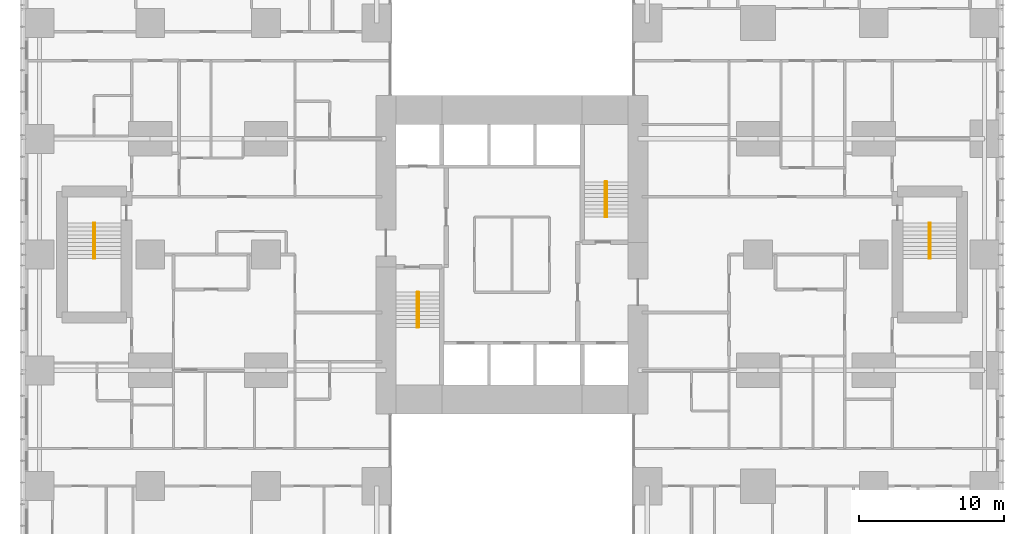
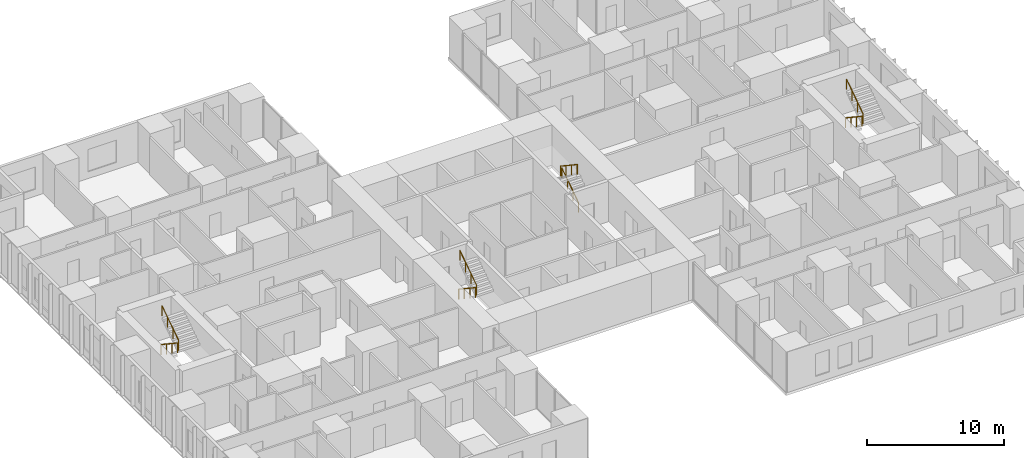
# One storey, part 20 of 20: 8 railings.
"""IFC4 building model written with IfcOpenShell, lengths in metres."""

import ifcopenshell
import ifcopenshell.guid

model = None  # the IFC model being written
_history = None  # IfcOwnerHistory: only IFC2X3 demands one
_inside = {}  # id of a spatial element -> (the spatial element, [elements in it])
_under = {}  # id of a project, library or spatial element -> (it, [spatial elements below it])
_declared = {}  # id of a project -> (the project, [libraries it declares])
_typed = {}  # id of a type object -> (the type object, [elements of that type])
_made_of = {}  # id of a material, layer set ... -> (it, [elements and type objects made of it])


def new_model(schema):
    """Start an empty IFC model of exactly this schema.

    Asked for "IFC4X3", IfcOpenShell would pick the latest addendum, in which some entities
    have other attributes; the version numbers below select the first issue.
    IFC2X3 requires an IfcOwnerHistory on every rooted entity: one is made here for all.
    """
    global model, _history
    if schema == "IFC4X3":
        model = ifcopenshell.file(schema_version=(4, 3, 0, 0))
    else:
        model = ifcopenshell.file(schema=schema)
    _inside.clear()
    _under.clear()
    _declared.clear()
    _typed.clear()
    _made_of.clear()
    _history = None
    if model.schema == "IFC2X3":
        org = make("IfcOrganization", Name="unknown")
        user = make(
            "IfcPersonAndOrganization",
            ThePerson=make("IfcPerson", FamilyName="unknown"),
            TheOrganization=org,
        )
        app = make(
            "IfcApplication",
            ApplicationDeveloper=org,
            Version="unknown",
            ApplicationFullName="unknown",
            ApplicationIdentifier="unknown",
        )
        _history = make(
            "IfcOwnerHistory",
            OwningUser=user,
            OwningApplication=app,
            ChangeAction="ADDED",
            CreationDate=0,
        )
    return model


def make(cls, **values):
    """One entity of the class cls with the attributes given. An attribute that is None is left unset."""
    return model.create_entity(
        cls, **{name: value for name, value in values.items() if value is not None}
    )


def rooted(cls, **values):
    """An entity with a GlobalId (a new one), such as an element, a storey or a relation."""
    return make(cls, GlobalId=ifcopenshell.guid.new(), OwnerHistory=_history, **values)


def si_unit(unit_type, name, prefix=None):
    """IfcSIUnit, for example si_unit("LENGTHUNIT", "METRE", prefix="MILLI")."""
    return make("IfcSIUnit", UnitType=unit_type, Prefix=prefix, Name=name)


def assignment(units):
    """IfcUnitAssignment: the units of a project."""
    return None if units is None else make("IfcUnitAssignment", Units=units)


def point(xyz):
    """IfcCartesianPoint."""
    return None if xyz is None else make("IfcCartesianPoint", Coordinates=xyz)


def direction(xyz):
    """IfcDirection."""
    return None if xyz is None else make("IfcDirection", DirectionRatios=xyz)


def frame(location, z_axis=None, x_axis=None):
    """IfcAxis2Placement3D, a coordinate frame: its origin and axes. An axis left out is left unset."""
    return make(
        "IfcAxis2Placement3D",
        Location=point(location),
        Axis=direction(z_axis),
        RefDirection=direction(x_axis),
    )


def frame_2d(location, x_axis=None):
    """IfcAxis2Placement2D, a coordinate frame in the plane: its origin and x axis."""
    return make(
        "IfcAxis2Placement2D", Location=point(location), RefDirection=direction(x_axis)
    )


def origin():
    """The frame at (0, 0, 0) with its axes left unset."""
    return frame((0.0, 0.0, 0.0))


def origin_2d():
    """The frame at (0, 0) in the plane with its x axis left unset."""
    return frame_2d((0.0, 0.0))


def place(relative_to, where):
    """IfcLocalPlacement: puts the frame where relative to a parent placement (None: the world)."""
    return make(
        "IfcLocalPlacement", PlacementRelTo=relative_to, RelativePlacement=where
    )


def context(
    kind, dimensions, precision=None, world=None, true_north=None, identifier=None
):
    """IfcGeometricRepresentationContext, for example the 3D "Model" context."""
    return make(
        "IfcGeometricRepresentationContext",
        ContextIdentifier=identifier,
        ContextType=kind,
        CoordinateSpaceDimension=dimensions,
        Precision=precision,
        WorldCoordinateSystem=world,
        TrueNorth=true_north,
    )


def subcontext(parent, identifier, kind, view, scale=None):
    """IfcGeometricRepresentationSubContext, for example "Body" below "Model"."""
    return make(
        "IfcGeometricRepresentationSubContext",
        ContextIdentifier=identifier,
        ContextType=kind,
        ParentContext=parent,
        TargetScale=scale,
        TargetView=view,
    )


def project(units=None, contexts=None):
    """IfcProject with its units and contexts."""
    return rooted(
        "IfcProject",
        Name="project",
        RepresentationContexts=contexts,
        UnitsInContext=assignment(units),
    )


def spatial(cls, under=None, at=None, **own):
    """A site, building, storey or space (cls), placed at a placement, below another one or the project."""
    s = rooted(cls, ObjectPlacement=at, **own)
    if under is not None:
        _under.setdefault(under.id(), (under, []))[1].append(s)
    return s


def profile(cls, at=None, kind="AREA", **sizes):
    """A parametric profile (cls). Its sizes go by their IFC names, for example OverallWidth=200.0."""
    return make(cls, ProfileType=kind, Position=at, **sizes)


def circle(**sizes):
    """IfcCircleProfileDef."""
    return profile("IfcCircleProfileDef", **sizes)


def extrude(swept, where, along, depth):
    """IfcExtrudedAreaSolid: the profile swept, set in the frame where, extruded along a direction by depth."""
    return make(
        "IfcExtrudedAreaSolid",
        SweptArea=swept,
        Position=where,
        ExtrudedDirection=direction(along),
        Depth=depth,
    )


def shape(context_of_items, identifier, shape_type, items):
    """IfcShapeRepresentation: the items that make up one representation, for example the "Body"."""
    return make(
        "IfcShapeRepresentation",
        ContextOfItems=context_of_items,
        RepresentationIdentifier=identifier,
        RepresentationType=shape_type,
        Items=items,
    )


def material(Name=None, Category=None):
    """IfcMaterial."""
    return make("IfcMaterial", Name=Name, Category=Category)


def made_of(thing, what):
    """Note that an element or type object is made of a material, layer set ...; save() writes the relation."""
    if what is not None:
        _made_of.setdefault(what.id(), (what, []))[1].append(thing)
    return thing


def type_object(cls, material=None, **own):
    """A type object (cls), such as IfcWallType, which elements share."""
    return made_of(rooted(cls, **own), material)


def element(
    cls,
    number,
    at=None,
    inside=None,
    cuts=None,
    type_object=None,
    material=None,
    context=None,
    identifier="Body",
    shape_type=None,
    held_by="IfcProductDefinitionShape",
    body=None,
    shapes=None,
    **own,
):
    """One element of the class cls, such as IfcWall. Its Tag is "e" and its number.

    at: its placement. inside: the storey or other place that contains it. cuts: it is an
    opening in that element (IfcRelVoidsElement). A single representation is given by context,
    identifier, shape_type and body (its items); several are given by shapes. held_by: the class
    of the entity that holds the representations. save() writes the other relations.
    """
    e = rooted(cls, Tag="e%d" % number, ObjectPlacement=at, **own)
    if body is not None:
        shapes = [shape(context, identifier, shape_type, body)]
    if shapes is not None:
        e.Representation = make(held_by, Representations=shapes)
    if inside is not None:
        _inside.setdefault(inside.id(), (inside, []))[1].append(e)
    if cuts is not None:
        rooted(
            "IfcRelVoidsElement", RelatingBuildingElement=cuts, RelatedOpeningElement=e
        )
    if type_object is not None:
        _typed.setdefault(type_object.id(), (type_object, []))[1].append(e)
    return made_of(e, material)


def aggregate(whole, parts):
    """IfcRelAggregates: a whole, such as a stair, and the parts it consists of."""
    return rooted("IfcRelAggregates", RelatingObject=whole, RelatedObjects=parts)


def save(model, path):
    """Write the relations noted so far, then the file.

    IfcRelAggregates (storeys below a building ...), IfcRelContainedInSpatialStructure (elements
    in a storey), IfcRelDefinesByType, IfcRelAssociatesMaterial and IfcRelDeclares: one each for
    every whole, place, type object, material and project.
    """
    for whole, parts in _under.values():
        aggregate(whole, parts)
    for where, things in _inside.values():
        rooted(
            "IfcRelContainedInSpatialStructure",
            RelatedElements=things,
            RelatingStructure=where,
        )
    for kind, things in _typed.values():
        rooted("IfcRelDefinesByType", RelatedObjects=things, RelatingType=kind)
    for what, things in _made_of.values():
        rooted("IfcRelAssociatesMaterial", RelatedObjects=things, RelatingMaterial=what)
    for by, libraries in _declared.values():
        rooted("IfcRelDeclares", RelatingContext=by, RelatedDefinitions=libraries)
    model.write(path)


model = new_model("IFC4")

# Units and contexts
model_context = context("Model", 3, precision=1e-05, world=origin(), true_north=direction((0.0, 1.0)))
body_context = subcontext(model_context, "Body", "Model", "MODEL_VIEW")
ifc_project = project(units=[si_unit("LENGTHUNIT", "METRE"), si_unit("AREAUNIT", "SQUARE_METRE"), si_unit("VOLUMEUNIT", "CUBIC_METRE"), si_unit("PLANEANGLEUNIT", "RADIAN"), si_unit("MASSUNIT", "GRAM", prefix="KILO")], contexts=[model_context])

# Site, building, storey
site_placement = place(None, origin())
site = spatial("IfcSite", under=ifc_project, at=site_placement, CompositionType="ELEMENT")
building_placement = place(site_placement, origin())
building = spatial("IfcBuilding", under=site, at=building_placement, Name="Cleftline Residences", CompositionType="ELEMENT")
storey_placement = place(building_placement, frame((0.0, 0.0, 83.60009765625)))
storey = spatial("IfcBuildingStorey", under=building, at=storey_placement, Name="L21", CompositionType="ELEMENT", Elevation=83.60009765625)

# Railings
ifc_material = material(Name="Stainless steel", Category="steel")
railing_type = type_object("IfcRailingType", Name="HANDRAIL 900", PredefinedType="HANDRAIL", material=ifc_material)
railing_1_placement = place(storey_placement, frame((26.449951171875, 21.39990234375, 0.179931640625)))
element("IfcRailing", 1, at=railing_1_placement, inside=storey, type_object=railing_type, Name="Stair handrail", PredefinedType="HANDRAIL", context=body_context, shape_type="SweptSolid", body=[
    extrude(circle(Radius=0.02392578125, at=origin_2d()), frame((0.0, 0.0, 0.8759765625), z_axis=(0.0, -0.832063155534, 0.554680903946), x_axis=(1.0, 0.0, 0.0)), (0.0, 0.0, 1.0), 2.92041015625),
    extrude(circle(Radius=0.02099609375, at=origin_2d()), origin(), (0.0, 0.0, 1.0), 0.851806640625),
    extrude(circle(Radius=0.02099609375, at=origin_2d()), frame((0.0, -0.81005859375, 0.5400390625)), (0.0, 0.0, 1.0), 0.851806640625),
    extrude(circle(Radius=0.02099609375, at=origin_2d()), frame((0.0, -1.619873046875, 1.079833984375)), (0.0, 0.0, 1.0), 0.851806640625),
    extrude(circle(Radius=0.02099609375, at=origin_2d()), frame((0.0, -2.429931640625, 1.619873046875)), (0.0, 0.0, 1.0), 0.851806640625),
])
for number, where, name in (
    (2, (26.550048828125, 18.969970703125, 1.97998046875), "Stair handrail"),
    (3, (39.550048828125, 26.60009765625, 0.179931640625), "Stair handrail"),
):
    element("IfcRailing", number, at=place(storey_placement, frame(where)), inside=storey, type_object=railing_type, Name=name, PredefinedType="HANDRAIL", context=body_context, shape_type="SweptSolid", body=[
        extrude(circle(Radius=0.02392578125, at=origin_2d()), frame((0.0, 0.0, 0.8759765625), z_axis=(0.0, 0.832063155534, 0.554680903946), x_axis=(-1.0, 0.0, 0.0)), (0.0, 0.0, 1.0), 2.92041015625),
        extrude(circle(Radius=0.02099609375, at=origin_2d()), origin(), (0.0, 0.0, 1.0), 0.851806640625),
        extrude(circle(Radius=0.02099609375, at=origin_2d()), frame((0.0, 0.81005859375, 0.5400390625)), (0.0, 0.0, 1.0), 0.851806640625),
        extrude(circle(Radius=0.02099609375, at=origin_2d()), frame((0.0, 1.619873046875, 1.079833984375)), (0.0, 0.0, 1.0), 0.851806640625),
        extrude(circle(Radius=0.02099609375, at=origin_2d()), frame((0.0, 2.429931640625, 1.619873046875)), (0.0, 0.0, 1.0), 0.851806640625),
    ])
for number, where, name in (
    (4, (39.449951171875, 29.030029296875, 1.97998046875), "Stair handrail"),
    (5, (61.824951171875, 26.175048828125, 0.179931640625), "Stair handrail"),
):
    element("IfcRailing", number, at=place(storey_placement, frame(where)), inside=storey, type_object=railing_type, Name=name, PredefinedType="HANDRAIL", context=body_context, shape_type="SweptSolid", body=[
        extrude(circle(Radius=0.02392578125, at=origin_2d()), frame((0.0, 0.0, 0.8759765625), z_axis=(0.0, -0.832063155534, 0.554680903946), x_axis=(1.0, 0.0, 0.0)), (0.0, 0.0, 1.0), 2.92041015625),
        extrude(circle(Radius=0.02099609375, at=origin_2d()), origin(), (0.0, 0.0, 1.0), 0.851806640625),
        extrude(circle(Radius=0.02099609375, at=origin_2d()), frame((0.0, -0.81005859375, 0.5400390625)), (0.0, 0.0, 1.0), 0.851806640625),
        extrude(circle(Radius=0.02099609375, at=origin_2d()), frame((0.0, -1.619873046875, 1.079833984375)), (0.0, 0.0, 1.0), 0.851806640625),
        extrude(circle(Radius=0.02099609375, at=origin_2d()), frame((0.0, -2.429931640625, 1.619873046875)), (0.0, 0.0, 1.0), 0.851806640625),
    ])
railing_2_placement = place(storey_placement, frame((61.925048828125, 23.7451171875, 1.97998046875)))
element("IfcRailing", 6, at=railing_2_placement, inside=storey, type_object=railing_type, Name="Stair handrail", PredefinedType="HANDRAIL", context=body_context, shape_type="SweptSolid", body=[
    extrude(circle(Radius=0.02392578125, at=origin_2d()), frame((0.0, 0.0, 0.8759765625), z_axis=(0.0, 0.832063155534, 0.554680903946), x_axis=(-1.0, 0.0, 0.0)), (0.0, 0.0, 1.0), 2.92041015625),
    extrude(circle(Radius=0.02099609375, at=origin_2d()), origin(), (0.0, 0.0, 1.0), 0.851806640625),
    extrude(circle(Radius=0.02099609375, at=origin_2d()), frame((0.0, 0.81005859375, 0.5400390625)), (0.0, 0.0, 1.0), 0.851806640625),
    extrude(circle(Radius=0.02099609375, at=origin_2d()), frame((0.0, 1.619873046875, 1.079833984375)), (0.0, 0.0, 1.0), 0.851806640625),
    extrude(circle(Radius=0.02099609375, at=origin_2d()), frame((0.0, 2.429931640625, 1.619873046875)), (0.0, 0.0, 1.0), 0.851806640625),
])
railing_3_placement = place(storey_placement, frame((4.074951171875, 26.175048828125, 0.179931640625)))
element("IfcRailing", 7, at=railing_3_placement, inside=storey, type_object=railing_type, Name="Stair handrail", PredefinedType="HANDRAIL", context=body_context, shape_type="SweptSolid", body=[
    extrude(circle(Radius=0.02392578125, at=origin_2d()), frame((0.0, 0.0, 0.8759765625), z_axis=(0.0, -0.832063155534, 0.554680903946), x_axis=(1.0, 0.0, 0.0)), (0.0, 0.0, 1.0), 2.92041015625),
    extrude(circle(Radius=0.02099609375, at=origin_2d()), origin(), (0.0, 0.0, 1.0), 0.851806640625),
    extrude(circle(Radius=0.02099609375, at=origin_2d()), frame((0.0, -0.81005859375, 0.5400390625)), (0.0, 0.0, 1.0), 0.851806640625),
    extrude(circle(Radius=0.02099609375, at=origin_2d()), frame((0.0, -1.619873046875, 1.079833984375)), (0.0, 0.0, 1.0), 0.851806640625),
    extrude(circle(Radius=0.02099609375, at=origin_2d()), frame((0.0, -2.429931640625, 1.619873046875)), (0.0, 0.0, 1.0), 0.851806640625),
])
railing_4_placement = place(storey_placement, frame((4.175048828125, 23.7451171875, 1.97998046875)))
element("IfcRailing", 8, at=railing_4_placement, inside=storey, type_object=railing_type, Name="Stair handrail", PredefinedType="HANDRAIL", context=body_context, shape_type="SweptSolid", body=[
    extrude(circle(Radius=0.02392578125, at=origin_2d()), frame((0.0, 0.0, 0.8759765625), z_axis=(0.0, 0.832063155534, 0.554680903946), x_axis=(-1.0, 0.0, 0.0)), (0.0, 0.0, 1.0), 2.92041015625),
    extrude(circle(Radius=0.02099609375, at=origin_2d()), origin(), (0.0, 0.0, 1.0), 0.851806640625),
    extrude(circle(Radius=0.02099609375, at=origin_2d()), frame((0.0, 0.81005859375, 0.5400390625)), (0.0, 0.0, 1.0), 0.851806640625),
    extrude(circle(Radius=0.02099609375, at=origin_2d()), frame((0.0, 1.619873046875, 1.079833984375)), (0.0, 0.0, 1.0), 0.851806640625),
    extrude(circle(Radius=0.02099609375, at=origin_2d()), frame((0.0, 2.429931640625, 1.619873046875)), (0.0, 0.0, 1.0), 0.851806640625),
])

save(model, "model.ifc")
